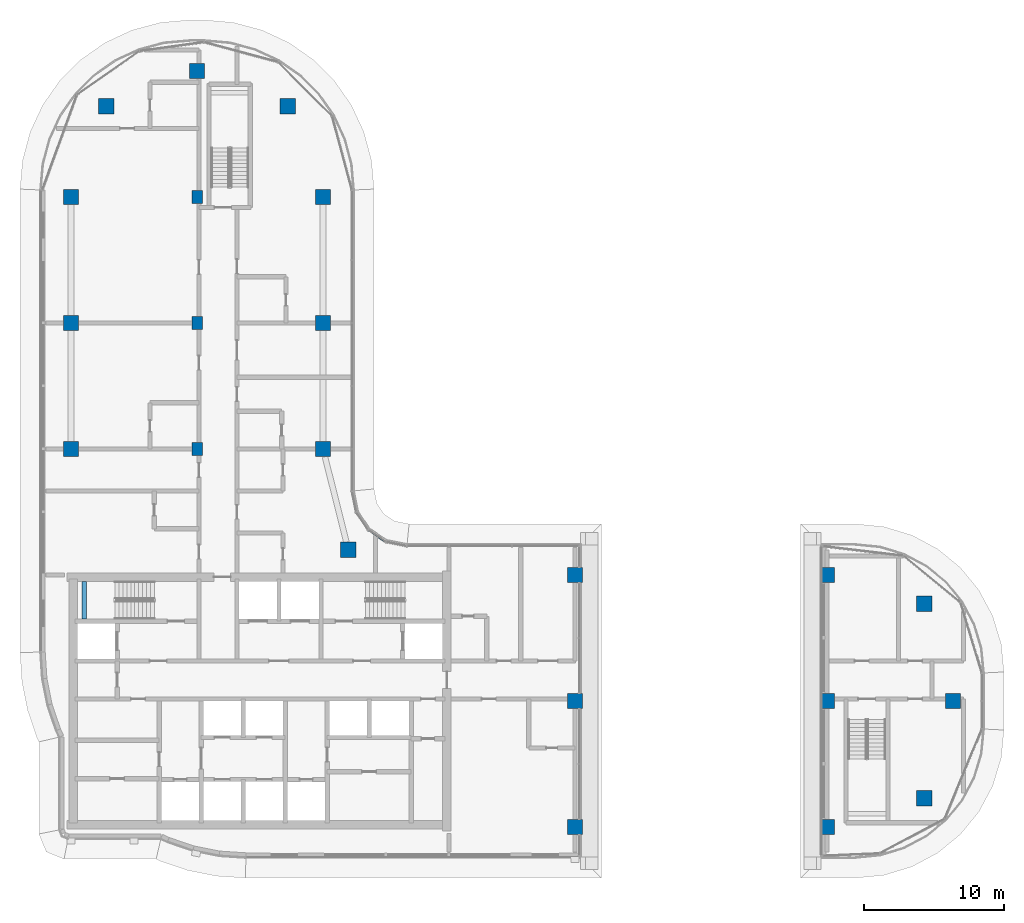
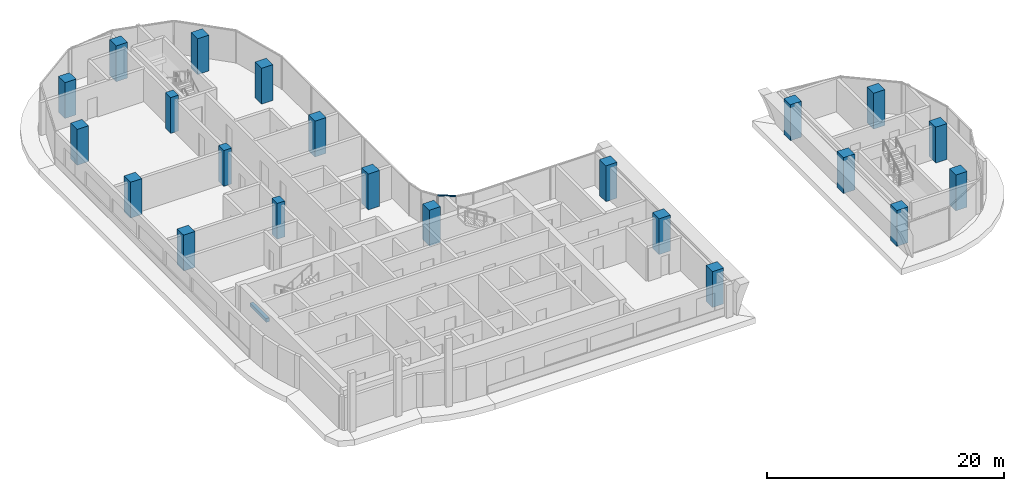
# One storey, part 1 of 26: 22 columns, 1 beam, 1 member, 1 element without a shape of its own.
"""IFC4 building model written with IfcOpenShell, lengths in metres."""

from ifc_helpers import new_model, si_unit, direction, frame, origin, origin_2d, place, context, subcontext, project, spatial, rectangle, extrude, material, material_profile, profile_set, type_object, element, aggregate, save


model = new_model("IFC4")

# Units and contexts
model_context = context("Model", 3, precision=1e-05, world=origin(), true_north=direction((0.0, 1.0)))
body_context = subcontext(model_context, "Body", "Model", "MODEL_VIEW")
ifc_project = project(units=[si_unit("LENGTHUNIT", "METRE"), si_unit("AREAUNIT", "SQUARE_METRE"), si_unit("VOLUMEUNIT", "CUBIC_METRE"), si_unit("PLANEANGLEUNIT", "RADIAN"), si_unit("MASSUNIT", "GRAM", prefix="KILO")], contexts=[model_context])

# Site, building, storey
site_placement = place(None, origin())
site = spatial("IfcSite", under=ifc_project, at=site_placement, CompositionType="ELEMENT")
building_placement = place(site_placement, origin())
building = spatial("IfcBuilding", under=site, at=building_placement, Name="Ogive Portal Towers", CompositionType="ELEMENT")
storey_placement = place(building_placement, frame((0.0, 0.0, 171.800048828125)))
storey = spatial("IfcBuildingStorey", under=building, at=storey_placement, Name="L42", CompositionType="ELEMENT", Elevation=171.800048828125)

# Columns
ifc_material_1 = material(Name="Concrete C60/75", Category="concrete")
ifc_material_profile_1 = material_profile(ifc_material_1, rectangle(XDim=1.10009765625, YDim=1.10009765625, at=origin_2d()), Name="RC 1100x1100")
ifc_profile_set_1 = profile_set([ifc_material_profile_1], Name="Concrete C60/75")
column_type_1 = type_object("IfcColumnType", Name="COLUMN RC 1100x1100", PredefinedType="COLUMN", material=ifc_profile_set_1)
for number, where, z_axis, x_axis, name in (
    (1, (67.5, 21.5, 0.0), (0.0, 0.0, 1.0), (1.0, 0.0, 0.0), "Column 5/A L42"),
    (2, (85.5, 21.5, 0.0), (0.0, 0.0, 1.0), (1.0, 0.0, 0.0), "Column 7/A L42"),
    (3, (92.449951171875, 23.550048828125, 0.0), (0.0, 0.0, 1.0), (1.0, 0.0, 0.0), "Column L42"),
    (4, (67.5, 30.5, 0.0), (0.0, 0.0, 1.0), (1.0, 0.0, 0.0), "Column 5/B L42"),
    (5, (85.5, 30.5, 0.0), (0.0, 0.0, 1.0), (1.0, 0.0, 0.0), "Column 7/B L42"),
    (6, (94.5, 30.5, 0.0), (0.0, 0.0, 1.0), (1.0, 0.0, 0.0), "Column 8/B L42"),
    (7, (92.449951171875, 37.449951171875, 0.0), (0.0, 0.0, 1.0), (1.0, 0.0, 0.0), "Column L42"),
    (8, (67.5, 39.5, 0.0), (0.0, 0.0, 1.0), (1.0, 0.0, 0.0), "Column 5/C L42"),
    (9, (85.5, 39.5, 0.0), (0.0, 0.0, 1.0), (1.0, 0.0, 0.0), "Column 7/C L42"),
    (10, (51.31005859375, 41.31005859375, 0.0), (0.0, 0.0, 1.0), (1.0, 0.0, 0.0), "Column L42"),
    (11, (31.5, 48.5, 0.0), (0.0, 0.0, 1.0), (1.0, 0.0, 0.0), "Column 1/D L42"),
    (12, (49.5, 48.5, 0.0), (0.0, 0.0, 1.0), (1.0, 0.0, 0.0), "Column 3/D L42"),
    (13, (31.5, 57.5, 0.0), (0.0, 0.0, 1.0), (1.0, 0.0, 0.0), "Column 1/E L42"),
    (14, (49.5, 57.5, 0.0), (0.0, 0.0, 1.0), (1.0, 0.0, 0.0), "Column 3/E L42"),
    (15, (31.5, 66.5, 0.0), (0.0, 0.0, 1.0), (1.0, 0.0, 0.0), "Column 1/F L42"),
    (16, (49.5, 66.5, 0.0), (0.0, 0.0, 1.0), (1.0, 0.0, 0.0), "Column 3/F L42"),
    (17, (34.027099609375, 72.972900390625, 0.0), (0.0, 0.0, 1.0), (1.0, 0.0, 0.0), "Column L42"),
    (18, (46.972900390625, 72.972900390625, 0.0), (0.0, 0.0, 1.0), (1.0, 0.0, 0.0), "Column L42"),
    (19, (40.5, 75.5, 0.0), (0.0, 0.0, 1.0), (1.0, 0.0, 0.0), "Column 2/G L42"),
):
    element("IfcColumn", number, at=place(storey_placement, frame(where, z_axis=z_axis, x_axis=x_axis)), inside=storey, type_object=column_type_1, Name=name, PredefinedType="COLUMN", context=body_context, shape_type="SweptSolid", body=[
        extrude(rectangle(XDim=1.10009765625, YDim=1.10009765625, at=origin_2d()), origin(), (0.0, 0.0, 1.0), 3.699951171875),
    ])
ifc_material_profile_2 = material_profile(ifc_material_1, rectangle(XDim=0.89990234375, YDim=0.75, at=origin_2d()), Name="RC 900x750")
ifc_profile_set_2 = profile_set([ifc_material_profile_2], Name="Concrete C60/75")
column_type_2 = type_object("IfcColumnType", Name="COLUMN RC 900x750", PredefinedType="COLUMN", material=ifc_profile_set_2)
for number, where, z_axis, x_axis, name in (
    (20, (40.5, 48.5, 0.0), (0.0, 0.0, 1.0), (0.0, 1.0, 0.0), "Column 2/D L42"),
    (21, (40.5, 57.5, 0.0), (0.0, 0.0, 1.0), (0.0, 1.0, 0.0), "Column 2/E L42"),
    (22, (40.5, 66.5, 0.0), (0.0, 0.0, 1.0), (0.0, 1.0, 0.0), "Column 2/F L42"),
):
    element("IfcColumn", number, at=place(storey_placement, frame(where, z_axis=z_axis, x_axis=x_axis)), inside=storey, type_object=column_type_2, Name=name, PredefinedType="COLUMN", context=body_context, shape_type="SweptSolid", body=[
        extrude(rectangle(XDim=0.89990234375, YDim=0.75, at=origin_2d()), origin(), (0.0, 0.0, 1.0), 3.699951171875),
    ])

# Beam
ifc_material_2 = material(Name="Concrete C40/50", Category="concrete")
ifc_material_profile_3 = material_profile(ifc_material_2, rectangle(XDim=0.300048828125, YDim=0.39990234375, at=origin_2d()), Name="RC 300x400")
ifc_profile_set_3 = profile_set([ifc_material_profile_3], Name="Concrete C40/50")
beam_type = type_object("IfcBeamType", Name="BEAM RC 300x400", PredefinedType="BEAM", material=ifc_profile_set_3)
beam_placement = place(storey_placement, frame((32.449951171875, 36.35009765625, 1.449951171875), z_axis=(0.0, 1.0, 0.0), x_axis=(-1.0, 0.0, 0.0)))
element("IfcBeam", 23, at=beam_placement, inside=storey, type_object=beam_type, Name="Landing beam L42", PredefinedType="BEAM", context=body_context, shape_type="SweptSolid", body=[
    extrude(rectangle(XDim=0.300048828125, YDim=0.39990234375, at=origin_2d()), origin(), (0.0, 0.0, 1.0), 2.699951171875),
])

# Curtain wall, member
ifc_material_3 = material(Name="Glass, clear low-iron insulated glazing", Category="glass")
curtain_wall_type = type_object("IfcCurtainWallType", Name="CW FRONT RIBBON 4500", PredefinedType="NOTDEFINED", material=ifc_material_3)
curtain_wall_placement = place(storey_placement, origin())
curtain_wall = element("IfcCurtainWall", 24, at=curtain_wall_placement, inside=storey, type_object=curtain_wall_type, Name="A:L42:f11:cwa", PredefinedType="NOTDEFINED")
ifc_material_4 = material(Name="Aluminium 6063 anodised", Category="aluminium")
ifc_material_profile_4 = material_profile(ifc_material_4, rectangle(XDim=0.1201171875, YDim=0.06005859375, at=origin_2d()), Name="AL 120x60")
ifc_profile_set_4 = profile_set([ifc_material_profile_4], Name="Aluminium 6063 anodised")
member_type = type_object("IfcMemberType", Name="CW TRANSOM 60x120", PredefinedType="USERDEFINED", material=ifc_profile_set_4)
member_placement = place(storey_placement, frame((53.99365234375, 41.863037109375, 3.369873046875), z_axis=(-0.831536462619, 0.555470171417, 0.0), x_axis=(-0.555470171417, -0.831536462619, 0.0)))
member = element("IfcMember", 25, at=member_placement, type_object=member_type, Name="transom", ObjectType="TRANSOM", PredefinedType="USERDEFINED", context=body_context, shape_type="SweptSolid", body=[
    extrude(rectangle(XDim=0.1201171875, YDim=0.06005859375, at=origin_2d()), origin(), (0.0, 0.0, 1.0), 1.5361328125),
])
aggregate(curtain_wall, [member])

save(model, "model.ifc")
